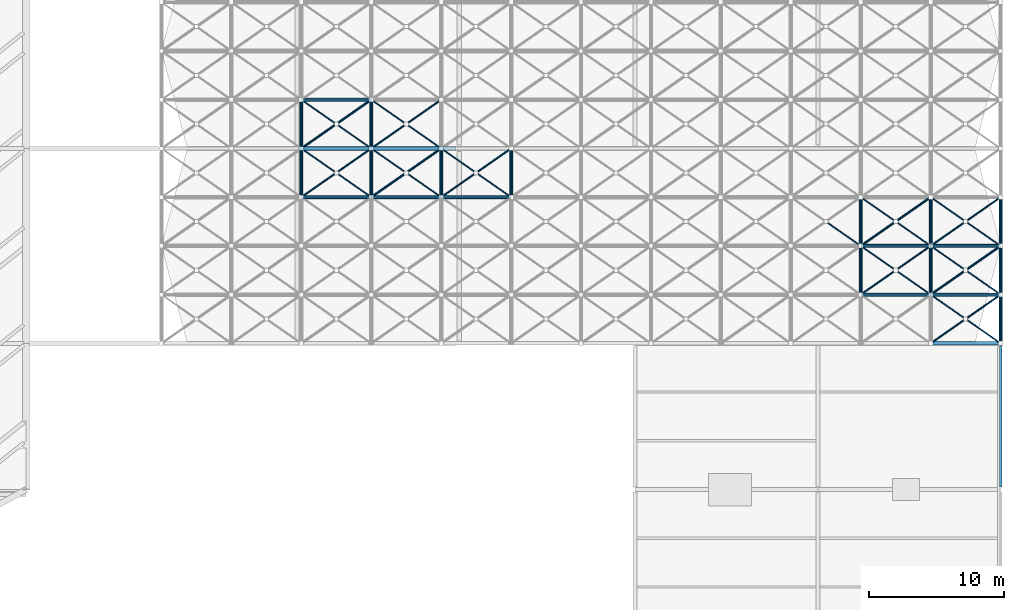
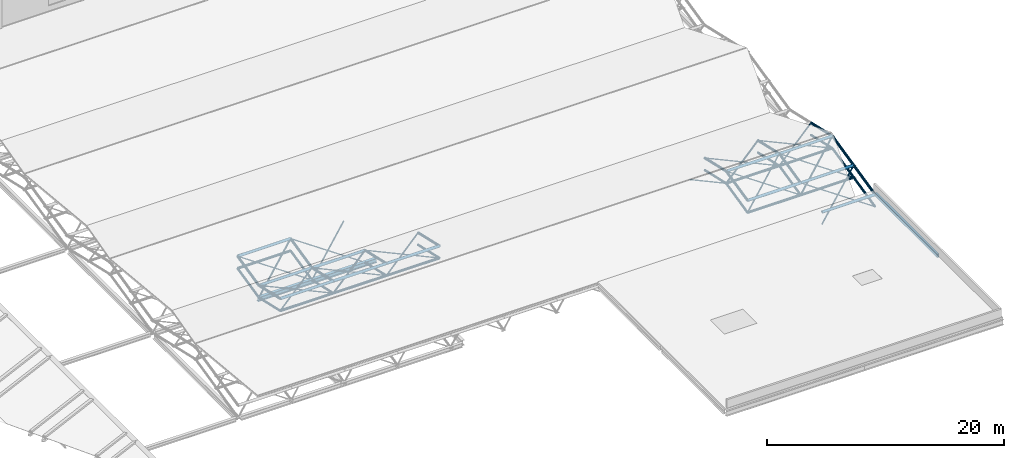
# One storey, part 37 of 110: 76 members, 2 beams.
"""IFC4 building model written with IfcOpenShell, lengths in metres."""

from ifc_helpers import new_model, si_unit, direction, frame, origin, origin_2d, place, context, subcontext, project, spatial, hollow_rectangle, hollow_circle, i_section, extrude, material, material_profile, profile_set, type_object, element, save


model = new_model("IFC4")

# Units and contexts
model_context = context("Model", 3, precision=1e-05, world=origin(), true_north=direction((0.0, 1.0)))
body_context = subcontext(model_context, "Body", "Model", "MODEL_VIEW")
ifc_project = project(units=[si_unit("LENGTHUNIT", "METRE"), si_unit("AREAUNIT", "SQUARE_METRE"), si_unit("VOLUMEUNIT", "CUBIC_METRE"), si_unit("PLANEANGLEUNIT", "RADIAN"), si_unit("MASSUNIT", "GRAM", prefix="KILO")], contexts=[model_context])

# Site, building, storey
site_placement = place(None, origin())
site = spatial("IfcSite", under=ifc_project, at=site_placement, CompositionType="ELEMENT")
building_placement = place(site_placement, origin())
building = spatial("IfcBuilding", under=site, at=building_placement, Name="Tamarisk Ironworks Central Station", CompositionType="ELEMENT")
storey_placement = place(building_placement, frame((0.0, 0.0, 17.39990234375)))
storey = spatial("IfcBuildingStorey", under=building, at=storey_placement, Name="L03", CompositionType="ELEMENT", Elevation=17.39990234375)

# Beams
ifc_material_1 = material(Name="Structural steel S355J2", Category="steel")
ifc_material_profile_1 = material_profile(ifc_material_1, i_section(OverallWidth=0.300048828125, OverallDepth=0.43994140625, WebThickness=0.011474609375, FlangeThickness=0.02099609375, at=origin_2d()), Name="HEA 450")
ifc_profile_set_1 = profile_set([ifc_material_profile_1], Name="Structural steel S355J2")
beam_type_1 = type_object("IfcBeamType", Name="BM-G06", PredefinedType="BEAM", material=ifc_profile_set_1)
beam_1_placement = place(storey_placement, frame((128.191162109375, 36.0, -1.81982421875), z_axis=(1.0, 0.0, 0.0), x_axis=(0.0, 1.0, 0.0)))
element("IfcBeam", 1, at=beam_1_placement, inside=storey, type_object=beam_type_1, Name="L03 primary girder X-0553", PredefinedType="BEAM", context=body_context, shape_type="SweptSolid", body=[
    extrude(i_section(OverallWidth=0.300048828125, OverallDepth=0.43994140625, WebThickness=0.011474609375, FlangeThickness=0.02099609375, at=origin_2d()), origin(), (0.0, 0.0, 1.0), 11.56689453125),
])
ifc_material_profile_2 = material_profile(ifc_material_1, hollow_rectangle(XDim=0.199951171875, YDim=0.35009765625, WallThickness=0.012451171875, at=origin_2d()), Name="RHS 350x200x12.5")
ifc_profile_set_2 = profile_set([ifc_material_profile_2], Name="Structural steel S355J2")
beam_type_2 = type_object("IfcBeamType", Name="BM-SP01", PredefinedType="SPANDREL", material=ifc_profile_set_2)
beam_2_placement = place(storey_placement, frame((180.0, 10.968017578125, -0.3349609375), z_axis=(0.0, 1.0, 0.0), x_axis=(-1.0, 0.0, 0.0)))
element("IfcBeam", 2, at=beam_2_placement, inside=storey, type_object=beam_type_2, Name="L03 primary girder Y-0701", PredefinedType="SPANDREL", context=body_context, shape_type="SweptSolid", body=[
    extrude(hollow_rectangle(XDim=0.199951171875, YDim=0.35009765625, WallThickness=0.012451171875, at=origin_2d()), origin(), (0.0, 0.0, 1.0), 10.4638671875),
])

# Members
ifc_material_2 = material(Name="Structural steel S355J2H", Category="steel")
ifc_material_profile_3 = material_profile(ifc_material_2, hollow_circle(Radius=0.136474609375, WallThickness=0.012451171875, at=origin_2d()), Name="CHS 273x12.5")
ifc_profile_set_3 = profile_set([ifc_material_profile_3], Name="Structural steel S355J2H")
member_type_1 = type_object("IfcMemberType", Name="MB-SFC01", PredefinedType="CHORD", material=ifc_profile_set_3)
member_1_placement = place(storey_placement, frame((174.833251953125, 21.60009765625, -0.469970703125), z_axis=(1.0, 0.0, 0.0), x_axis=(0.0, 1.0, 0.0)))
element("IfcMember", 3, at=member_1_placement, inside=storey, type_object=member_type_1, Name="Train shed space-frame top chord 1062", PredefinedType="CHORD", context=body_context, shape_type="SweptSolid", body=[
    extrude(hollow_circle(Radius=0.136474609375, WallThickness=0.012451171875, at=origin_2d()), origin(), (0.0, 0.0, 1.0), 5.166748046875),
])
member_2_placement = place(storey_placement, frame((169.666748046875, 25.199951171875, 0.35498046875), z_axis=(1.0, 0.0, 0.0), x_axis=(0.0, 1.0, 0.0)))
element("IfcMember", 4, at=member_2_placement, inside=storey, type_object=member_type_1, Name="Train shed space-frame top chord 1073", PredefinedType="CHORD", context=body_context, shape_type="SweptSolid", body=[
    extrude(hollow_circle(Radius=0.136474609375, WallThickness=0.012451171875, at=origin_2d()), origin(), (0.0, 0.0, 1.0), 5.16650390625),
])
member_3_placement = place(storey_placement, frame((174.833251953125, 25.199951171875, 0.35498046875), z_axis=(1.0, 0.0, 0.0), x_axis=(0.0, 1.0, 0.0)))
element("IfcMember", 5, at=member_3_placement, inside=storey, type_object=member_type_1, Name="Train shed space-frame top chord 1074", PredefinedType="CHORD", context=body_context, shape_type="SweptSolid", body=[
    extrude(hollow_circle(Radius=0.136474609375, WallThickness=0.012451171875, at=origin_2d()), origin(), (0.0, 0.0, 1.0), 5.166748046875),
])
member_4_placement = place(storey_placement, frame((169.666748046875, 28.800048828125, 1.18017578125), z_axis=(1.0, 0.0, 0.0), x_axis=(0.0, 1.0, 0.0)))
element("IfcMember", 6, at=member_4_placement, inside=storey, type_object=member_type_1, Name="Train shed space-frame top chord 1085", PredefinedType="CHORD", context=body_context, shape_type="SweptSolid", body=[
    extrude(hollow_circle(Radius=0.136474609375, WallThickness=0.012451171875, at=origin_2d()), origin(), (0.0, 0.0, 1.0), 5.16650390625),
])
for number, where, z_axis, x_axis, name in (
    (7, (174.833251953125, 28.800048828125, 1.18017578125), (1.0, 0.0, 0.0), (0.0, 1.0, 0.0), "Train shed space-frame top chord 1086"),
    (8, (128.333251953125, 32.39990234375, 0.35498046875), (1.0, 0.0, 0.0), (0.0, 1.0, 0.0), "Train shed space-frame top chord 1089"),
    (9, (133.5, 32.39990234375, 0.35498046875), (1.0, 0.0, 0.0), (0.0, 1.0, 0.0), "Train shed space-frame top chord 1090"),
):
    element("IfcMember", number, at=place(storey_placement, frame(where, z_axis=z_axis, x_axis=x_axis)), inside=storey, type_object=member_type_1, Name=name, PredefinedType="CHORD", context=body_context, shape_type="SweptSolid", body=[
        extrude(hollow_circle(Radius=0.136474609375, WallThickness=0.012451171875, at=origin_2d()), origin(), (0.0, 0.0, 1.0), 5.166748046875),
    ])
member_5_placement = place(storey_placement, frame((138.666748046875, 32.39990234375, 0.35498046875), z_axis=(1.0, 0.0, 0.0), x_axis=(0.0, 1.0, 0.0)))
element("IfcMember", 10, at=member_5_placement, inside=storey, type_object=member_type_1, Name="Train shed space-frame top chord 1091", PredefinedType="CHORD", context=body_context, shape_type="SweptSolid", body=[
    extrude(hollow_circle(Radius=0.136474609375, WallThickness=0.012451171875, at=origin_2d()), origin(), (0.0, 0.0, 1.0), 5.16650390625),
])
for number, where, z_axis, x_axis, name in (
    (11, (128.333251953125, 36.0, -0.469970703125), (1.0, 0.0, 0.0), (0.0, 1.0, 0.0), "Train shed space-frame top chord 1101"),
    (12, (133.5, 36.0, -0.469970703125), (1.0, 0.0, 0.0), (0.0, 1.0, 0.0), "Train shed space-frame top chord 1102"),
    (13, (128.333251953125, 39.60009765625, 0.35498046875), (1.0, 0.0, 0.0), (0.0, 1.0, 0.0), "Train shed space-frame top chord 1349"),
):
    element("IfcMember", number, at=place(storey_placement, frame(where, z_axis=z_axis, x_axis=x_axis)), inside=storey, type_object=member_type_1, Name=name, PredefinedType="CHORD", context=body_context, shape_type="SweptSolid", body=[
        extrude(hollow_circle(Radius=0.136474609375, WallThickness=0.012451171875, at=origin_2d()), origin(), (0.0, 0.0, 1.0), 5.166748046875),
    ])
ifc_material_profile_4 = material_profile(ifc_material_2, hollow_circle(Radius=0.122314453125, WallThickness=0.012451171875, at=origin_2d()), Name="CHS 244.5x12.5")
ifc_profile_set_4 = profile_set([ifc_material_profile_4], Name="Structural steel S355J2H")
member_type_2 = type_object("IfcMemberType", Name="MB-SFC02", PredefinedType="CHORD", material=ifc_profile_set_4)
member_6_placement = place(storey_placement, frame((169.666748046875, 25.199951171875, -0.89501953125), z_axis=(1.0, 0.0, 0.0), x_axis=(0.0, 1.0, 0.0)))
element("IfcMember", 14, at=member_6_placement, inside=storey, type_object=member_type_2, Name="Train shed space-frame bottom chord 0973", PredefinedType="CHORD", context=body_context, shape_type="SweptSolid", body=[
    extrude(hollow_circle(Radius=0.122314453125, WallThickness=0.012451171875, at=origin_2d()), origin(), (0.0, 0.0, 1.0), 5.16650390625),
])
member_7_placement = place(storey_placement, frame((174.833251953125, 25.199951171875, -0.89501953125), z_axis=(1.0, 0.0, 0.0), x_axis=(0.0, 1.0, 0.0)))
element("IfcMember", 15, at=member_7_placement, inside=storey, type_object=member_type_2, Name="Train shed space-frame bottom chord 0974", PredefinedType="CHORD", context=body_context, shape_type="SweptSolid", body=[
    extrude(hollow_circle(Radius=0.122314453125, WallThickness=0.012451171875, at=origin_2d()), origin(), (0.0, 0.0, 1.0), 5.166748046875),
])
member_8_placement = place(storey_placement, frame((169.666748046875, 28.800048828125, -0.06982421875), z_axis=(1.0, 0.0, 0.0), x_axis=(0.0, 1.0, 0.0)))
element("IfcMember", 16, at=member_8_placement, inside=storey, type_object=member_type_2, Name="Train shed space-frame bottom chord 0985", PredefinedType="CHORD", context=body_context, shape_type="SweptSolid", body=[
    extrude(hollow_circle(Radius=0.122314453125, WallThickness=0.012451171875, at=origin_2d()), origin(), (0.0, 0.0, 1.0), 5.16650390625),
])
for number, where, z_axis, x_axis, name in (
    (17, (174.833251953125, 28.800048828125, -0.06982421875), (1.0, 0.0, 0.0), (0.0, 1.0, 0.0), "Train shed space-frame bottom chord 0986"),
    (18, (128.333251953125, 32.39990234375, -0.89501953125), (1.0, 0.0, 0.0), (0.0, 1.0, 0.0), "Train shed space-frame bottom chord 0989"),
    (19, (133.5, 32.39990234375, -0.89501953125), (1.0, 0.0, 0.0), (0.0, 1.0, 0.0), "Train shed space-frame bottom chord 0990"),
):
    element("IfcMember", number, at=place(storey_placement, frame(where, z_axis=z_axis, x_axis=x_axis)), inside=storey, type_object=member_type_2, Name=name, PredefinedType="CHORD", context=body_context, shape_type="SweptSolid", body=[
        extrude(hollow_circle(Radius=0.122314453125, WallThickness=0.012451171875, at=origin_2d()), origin(), (0.0, 0.0, 1.0), 5.166748046875),
    ])
member_9_placement = place(storey_placement, frame((138.666748046875, 32.39990234375, -0.89501953125), z_axis=(1.0, 0.0, 0.0), x_axis=(0.0, 1.0, 0.0)))
element("IfcMember", 20, at=member_9_placement, inside=storey, type_object=member_type_2, Name="Train shed space-frame bottom chord 0991", PredefinedType="CHORD", context=body_context, shape_type="SweptSolid", body=[
    extrude(hollow_circle(Radius=0.122314453125, WallThickness=0.012451171875, at=origin_2d()), origin(), (0.0, 0.0, 1.0), 5.16650390625),
])
for number, where, z_axis, x_axis, name in (
    (21, (128.333251953125, 32.39990234375, 0.35498046875), (0.0, 0.974736516158, -0.223357838607), (-1.0, 0.0, 0.0), "Train shed space-frame top transverse chord 1122"),
    (22, (133.5, 32.39990234375, 0.35498046875), (0.0, 0.974736516158, -0.223357838607), (-1.0, 0.0, 0.0), "Train shed space-frame top transverse chord 1126"),
    (23, (138.666748046875, 32.39990234375, 0.35498046875), (0.0, 0.974736516158, -0.223357838607), (-1.0, 0.0, 0.0), "Train shed space-frame top transverse chord 1130"),
    (24, (143.833251953125, 32.39990234375, 0.35498046875), (0.0, 0.974736516158, -0.223357838607), (-1.0, 0.0, 0.0), "Train shed space-frame top transverse chord 1134"),
    (25, (169.666748046875, 25.199951171875, 0.35498046875), (0.0, 0.974722123001, 0.223420641241), (-1.0, 0.0, 0.0), "Train shed space-frame top transverse chord 1152"),
):
    element("IfcMember", number, at=place(storey_placement, frame(where, z_axis=z_axis, x_axis=x_axis)), inside=storey, type_object=member_type_2, Name=name, PredefinedType="CHORD", context=body_context, shape_type="SweptSolid", body=[
        extrude(hollow_circle(Radius=0.122314453125, WallThickness=0.012451171875, at=origin_2d()), origin(), (0.0, 0.0, 1.0), 3.693359375),
    ])
member_10_placement = place(storey_placement, frame((169.666748046875, 28.800048828125, 1.18017578125), z_axis=(0.0, 0.974718823144, -0.223435037113), x_axis=(-1.0, 0.0, 0.0)))
element("IfcMember", 26, at=member_10_placement, inside=storey, type_object=member_type_2, Name="Train shed space-frame top transverse chord 1153", PredefinedType="CHORD", context=body_context, shape_type="SweptSolid", body=[
    extrude(hollow_circle(Radius=0.122314453125, WallThickness=0.012451171875, at=origin_2d()), origin(), (0.0, 0.0, 1.0), 3.693115234375),
])
member_11_placement = place(storey_placement, frame((174.833251953125, 25.199951171875, 0.35498046875), z_axis=(0.0, 0.974722123001, 0.223420641241), x_axis=(-1.0, 0.0, 0.0)))
element("IfcMember", 27, at=member_11_placement, inside=storey, type_object=member_type_2, Name="Train shed space-frame top transverse chord 1156", PredefinedType="CHORD", context=body_context, shape_type="SweptSolid", body=[
    extrude(hollow_circle(Radius=0.122314453125, WallThickness=0.012451171875, at=origin_2d()), origin(), (0.0, 0.0, 1.0), 3.693359375),
])
for number, where, z_axis, x_axis, name in (
    (28, (174.833251953125, 28.800048828125, 1.18017578125), (0.0, 0.974718823144, -0.223435037113), (-1.0, 0.0, 0.0), "Train shed space-frame top transverse chord 1157"),
    (29, (180.0, 21.60009765625, -0.469970703125), (0.0, 0.974733218107, 0.223372230857), (-1.0, 0.0, 0.0), "Train shed space-frame top transverse chord 1159"),
):
    element("IfcMember", number, at=place(storey_placement, frame(where, z_axis=z_axis, x_axis=x_axis)), inside=storey, type_object=member_type_2, Name=name, PredefinedType="CHORD", context=body_context, shape_type="SweptSolid", body=[
        extrude(hollow_circle(Radius=0.122314453125, WallThickness=0.012451171875, at=origin_2d()), origin(), (0.0, 0.0, 1.0), 3.693115234375),
    ])
member_12_placement = place(storey_placement, frame((180.0, 25.199951171875, 0.35498046875), z_axis=(0.0, 0.974722123001, 0.223420641241), x_axis=(-1.0, 0.0, 0.0)))
element("IfcMember", 30, at=member_12_placement, inside=storey, type_object=member_type_2, Name="Train shed space-frame top transverse chord 1160", PredefinedType="CHORD", context=body_context, shape_type="SweptSolid", body=[
    extrude(hollow_circle(Radius=0.122314453125, WallThickness=0.012451171875, at=origin_2d()), origin(), (0.0, 0.0, 1.0), 3.693359375),
])
member_13_placement = place(storey_placement, frame((180.0, 28.800048828125, 1.18017578125), z_axis=(0.0, 0.974718823144, -0.223435037113), x_axis=(-1.0, 0.0, 0.0)))
element("IfcMember", 31, at=member_13_placement, inside=storey, type_object=member_type_2, Name="Train shed space-frame top transverse chord 1161", PredefinedType="CHORD", context=body_context, shape_type="SweptSolid", body=[
    extrude(hollow_circle(Radius=0.122314453125, WallThickness=0.012451171875, at=origin_2d()), origin(), (0.0, 0.0, 1.0), 3.693115234375),
])
member_14_placement = place(storey_placement, frame((128.333251953125, 39.60009765625, -0.89501953125), z_axis=(1.0, 0.0, 0.0), x_axis=(0.0, 1.0, 0.0)))
element("IfcMember", 32, at=member_14_placement, inside=storey, type_object=member_type_2, Name="Train shed space-frame bottom chord 1261", PredefinedType="CHORD", context=body_context, shape_type="SweptSolid", body=[
    extrude(hollow_circle(Radius=0.122314453125, WallThickness=0.012451171875, at=origin_2d()), origin(), (0.0, 0.0, 1.0), 5.166748046875),
])
for number, where, z_axis, x_axis, name in (
    (33, (128.333251953125, 36.0, -0.469970703125), (0.0, 0.974736516158, 0.223357838607), (-1.0, 0.0, 0.0), "Train shed space-frame top transverse chord 1403"),
    (34, (133.5, 36.0, -0.469970703125), (0.0, 0.974736516158, 0.223357838607), (-1.0, 0.0, 0.0), "Train shed space-frame top transverse chord 1407"),
):
    element("IfcMember", number, at=place(storey_placement, frame(where, z_axis=z_axis, x_axis=x_axis)), inside=storey, type_object=member_type_2, Name=name, PredefinedType="CHORD", context=body_context, shape_type="SweptSolid", body=[
        extrude(hollow_circle(Radius=0.122314453125, WallThickness=0.012451171875, at=origin_2d()), origin(), (0.0, 0.0, 1.0), 3.693359375),
    ])
ifc_material_profile_5 = material_profile(ifc_material_2, hollow_circle(Radius=0.109619140625, WallThickness=0.010009765625, at=origin_2d()), Name="CHS 219.1x10")
ifc_profile_set_5 = profile_set([ifc_material_profile_5], Name="Structural steel S355J2H")
member_type_3 = type_object("IfcMemberType", Name="MB-SFC03", PredefinedType="CHORD", material=ifc_profile_set_5)
for number, where, z_axis, x_axis, name in (
    (35, (128.333251953125, 32.39990234375, -0.89501953125), (0.0, 0.974736516158, -0.223357838607), (-1.0, 0.0, 0.0), "Train shed space-frame transverse chord 1010"),
    (36, (133.5, 32.39990234375, -0.89501953125), (0.0, 0.974736516158, -0.223357838607), (-1.0, 0.0, 0.0), "Train shed space-frame transverse chord 1014"),
    (37, (138.666748046875, 32.39990234375, -0.89501953125), (0.0, 0.974736516158, -0.223357838607), (-1.0, 0.0, 0.0), "Train shed space-frame transverse chord 1018"),
    (38, (143.833251953125, 32.39990234375, -0.89501953125), (0.0, 0.974736516158, -0.223357838607), (-1.0, 0.0, 0.0), "Train shed space-frame transverse chord 1022"),
    (39, (169.666748046875, 25.199951171875, -0.89501953125), (0.0, 0.974722123001, 0.223420641241), (-1.0, 0.0, 0.0), "Train shed space-frame transverse chord 1040"),
):
    element("IfcMember", number, at=place(storey_placement, frame(where, z_axis=z_axis, x_axis=x_axis)), inside=storey, type_object=member_type_3, Name=name, PredefinedType="CHORD", context=body_context, shape_type="SweptSolid", body=[
        extrude(hollow_circle(Radius=0.109619140625, WallThickness=0.010009765625, at=origin_2d()), origin(), (0.0, 0.0, 1.0), 3.693359375),
    ])
member_15_placement = place(storey_placement, frame((169.666748046875, 28.800048828125, -0.06982421875), z_axis=(0.0, 0.974718823144, -0.223435037113), x_axis=(-1.0, 0.0, 0.0)))
element("IfcMember", 40, at=member_15_placement, inside=storey, type_object=member_type_3, Name="Train shed space-frame transverse chord 1041", PredefinedType="CHORD", context=body_context, shape_type="SweptSolid", body=[
    extrude(hollow_circle(Radius=0.109619140625, WallThickness=0.010009765625, at=origin_2d()), origin(), (0.0, 0.0, 1.0), 3.693115234375),
])
member_16_placement = place(storey_placement, frame((174.833251953125, 25.199951171875, -0.89501953125), z_axis=(0.0, 0.974722123001, 0.223420641241), x_axis=(-1.0, 0.0, 0.0)))
element("IfcMember", 41, at=member_16_placement, inside=storey, type_object=member_type_3, Name="Train shed space-frame transverse chord 1044", PredefinedType="CHORD", context=body_context, shape_type="SweptSolid", body=[
    extrude(hollow_circle(Radius=0.109619140625, WallThickness=0.010009765625, at=origin_2d()), origin(), (0.0, 0.0, 1.0), 3.693359375),
])
for number, where, z_axis, x_axis, name in (
    (42, (174.833251953125, 28.800048828125, -0.06982421875), (0.0, 0.974718823144, -0.223435037113), (-1.0, 0.0, 0.0), "Train shed space-frame transverse chord 1045"),
    (43, (180.0, 21.60009765625, -1.719970703125), (0.0, 0.974733218107, 0.223372230857), (-1.0, 0.0, 0.0), "Train shed space-frame transverse chord 1047"),
):
    element("IfcMember", number, at=place(storey_placement, frame(where, z_axis=z_axis, x_axis=x_axis)), inside=storey, type_object=member_type_3, Name=name, PredefinedType="CHORD", context=body_context, shape_type="SweptSolid", body=[
        extrude(hollow_circle(Radius=0.109619140625, WallThickness=0.010009765625, at=origin_2d()), origin(), (0.0, 0.0, 1.0), 3.693115234375),
    ])
member_17_placement = place(storey_placement, frame((180.0, 25.199951171875, -0.89501953125), z_axis=(0.0, 0.974722123001, 0.223420641241), x_axis=(-1.0, 0.0, 0.0)))
element("IfcMember", 44, at=member_17_placement, inside=storey, type_object=member_type_3, Name="Train shed space-frame transverse chord 1048", PredefinedType="CHORD", context=body_context, shape_type="SweptSolid", body=[
    extrude(hollow_circle(Radius=0.109619140625, WallThickness=0.010009765625, at=origin_2d()), origin(), (0.0, 0.0, 1.0), 3.693359375),
])
member_18_placement = place(storey_placement, frame((180.0, 28.800048828125, -0.06982421875), z_axis=(0.0, 0.974718823144, -0.223435037113), x_axis=(-1.0, 0.0, 0.0)))
element("IfcMember", 45, at=member_18_placement, inside=storey, type_object=member_type_3, Name="Train shed space-frame transverse chord 1049", PredefinedType="CHORD", context=body_context, shape_type="SweptSolid", body=[
    extrude(hollow_circle(Radius=0.109619140625, WallThickness=0.010009765625, at=origin_2d()), origin(), (0.0, 0.0, 1.0), 3.693115234375),
])
for number, where, z_axis, x_axis, name in (
    (46, (128.333251953125, 36.0, -1.719970703125), (0.0, 0.974736516158, 0.223357838607), (-1.0, 0.0, 0.0), "Train shed space-frame transverse chord 1303"),
    (47, (133.5, 36.0, -1.719970703125), (0.0, 0.974736516158, 0.223357838607), (-1.0, 0.0, 0.0), "Train shed space-frame transverse chord 1307"),
):
    element("IfcMember", number, at=place(storey_placement, frame(where, z_axis=z_axis, x_axis=x_axis)), inside=storey, type_object=member_type_3, Name=name, PredefinedType="CHORD", context=body_context, shape_type="SweptSolid", body=[
        extrude(hollow_circle(Radius=0.109619140625, WallThickness=0.010009765625, at=origin_2d()), origin(), (0.0, 0.0, 1.0), 3.693359375),
    ])
ifc_material_profile_6 = material_profile(ifc_material_2, hollow_circle(Radius=0.084228515625, WallThickness=0.010009765625, at=origin_2d()), Name="CHS 168.3x10")
ifc_profile_set_6 = profile_set([ifc_material_profile_6], Name="Structural steel S355J2H")
member_type_4 = type_object("IfcMemberType", Name="MB-SFD01", PredefinedType="BRACE", material=ifc_profile_set_6)
member_19_placement = place(storey_placement, frame((133.5, 32.39990234375, -0.89501953125), z_axis=(0.818607749421, 0.570391242875, 0.067343764671), x_axis=(-0.571689073201, 0.82047035509, 0.0)))
element("IfcMember", 48, at=member_19_placement, inside=storey, type_object=member_type_4, Name="Train shed space-frame diagonal 1193", PredefinedType="BRACE", context=body_context, shape_type="SweptSolid", body=[
    extrude(hollow_circle(Radius=0.084228515625, WallThickness=0.010009765625, at=origin_2d()), origin(), (0.0, 0.0, 1.0), 6.3115234375),
])
member_20_placement = place(storey_placement, frame((169.666748046875, 28.800048828125, -0.06982421875), z_axis=(0.818615182779, 0.570384692849, 0.06730887525), x_axis=(-0.571681159291, 0.820475869305, 0.0)))
element("IfcMember", 49, at=member_20_placement, inside=storey, type_object=member_type_4, Name="Train shed space-frame diagonal 1247", PredefinedType="BRACE", context=body_context, shape_type="SweptSolid", body=[
    extrude(hollow_circle(Radius=0.084228515625, WallThickness=0.010009765625, at=origin_2d()), origin(), (0.0, 0.0, 1.0), 6.311279296875),
])
for number, where, z_axis, x_axis, name in (
    (50, (174.833251953125, 25.199951171875, -0.89501953125), (0.779249385031, 0.542967038306, 0.312981135603), (-0.571689073201, 0.82047035509, 0.0), "Train shed space-frame diagonal 1253"),
    (51, (128.333251953125, 36.0, -1.719970703125), (0.77925836502, 0.542973295402, 0.312947920631), (-0.571689073201, 0.82047035509, 0.0), "Train shed space-frame diagonal 1463"),
):
    element("IfcMember", number, at=place(storey_placement, frame(where, z_axis=z_axis, x_axis=x_axis)), inside=storey, type_object=member_type_4, Name=name, PredefinedType="BRACE", context=body_context, shape_type="SweptSolid", body=[
        extrude(hollow_circle(Radius=0.084228515625, WallThickness=0.010009765625, at=origin_2d()), origin(), (0.0, 0.0, 1.0), 6.63037109375),
    ])
ifc_material_profile_7 = material_profile(ifc_material_2, hollow_circle(Radius=0.06982421875, WallThickness=0.008056640625, at=origin_2d()), Name="CHS 139.7x8")
ifc_profile_set_7 = profile_set([ifc_material_profile_7], Name="Structural steel S355J2H")
member_type_5 = type_object("IfcMemberType", Name="MB-SFD02", PredefinedType="BRACE", material=ifc_profile_set_7)
for number, where, z_axis, x_axis, name in (
    (52, (128.333251953125, 32.39990234375, -0.89501953125), (0.818607749421, 0.570391242875, 0.067343764671), (-0.571689073201, 0.82047035509, 0.0), "Train shed space-frame diagonal 1185"),
    (53, (138.666748046875, 32.39990234375, -0.89501953125), (0.818594988647, 0.570409304536, 0.067345897138), (-0.571707258436, 0.820457683645, 0.0), "Train shed space-frame diagonal 1201"),
):
    element("IfcMember", number, at=place(storey_placement, frame(where, z_axis=z_axis, x_axis=x_axis)), inside=storey, type_object=member_type_5, Name=name, PredefinedType="BRACE", context=body_context, shape_type="SweptSolid", body=[
        extrude(hollow_circle(Radius=0.06982421875, WallThickness=0.008056640625, at=origin_2d()), origin(), (0.0, 0.0, 1.0), 6.3115234375),
    ])
for number, where, z_axis, x_axis, name in (
    (54, (169.666748046875, 25.199951171875, -0.89501953125), (0.779234922088, 0.542982617952, 0.31299011614), (-0.571707258436, 0.820457683645, 0.0), "Train shed space-frame diagonal 1245"),
    (55, (174.833251953125, 21.60009765625, -1.719970703125), (0.779273944842, 0.542947328672, 0.312954177442), (-0.57166297408, 0.820488539875, 0.0), "Train shed space-frame diagonal 1251"),
):
    element("IfcMember", number, at=place(storey_placement, frame(where, z_axis=z_axis, x_axis=x_axis)), inside=storey, type_object=member_type_5, Name=name, PredefinedType="BRACE", context=body_context, shape_type="SweptSolid", body=[
        extrude(hollow_circle(Radius=0.06982421875, WallThickness=0.008056640625, at=origin_2d()), origin(), (0.0, 0.0, 1.0), 6.630126953125),
    ])
member_21_placement = place(storey_placement, frame((174.833251953125, 28.800048828125, -0.06982421875), z_axis=(0.818627942589, 0.570366631076, 0.06730674385), x_axis=(-0.57166297408, 0.820488539875, 0.0)))
element("IfcMember", 56, at=member_21_placement, inside=storey, type_object=member_type_5, Name="Train shed space-frame diagonal 1255", PredefinedType="BRACE", context=body_context, shape_type="SweptSolid", body=[
    extrude(hollow_circle(Radius=0.06982421875, WallThickness=0.008056640625, at=origin_2d()), origin(), (0.0, 0.0, 1.0), 6.3115234375),
])
member_22_placement = place(storey_placement, frame((133.5, 36.0, -1.719970703125), z_axis=(0.77925836502, 0.542973295402, 0.312947920631), x_axis=(-0.571689073201, 0.82047035509, 0.0)))
element("IfcMember", 57, at=member_22_placement, inside=storey, type_object=member_type_5, Name="Train shed space-frame diagonal 1471", PredefinedType="BRACE", context=body_context, shape_type="SweptSolid", body=[
    extrude(hollow_circle(Radius=0.06982421875, WallThickness=0.008056640625, at=origin_2d()), origin(), (0.0, 0.0, 1.0), 6.63037109375),
])
ifc_material_profile_8 = material_profile(ifc_material_2, hollow_circle(Radius=0.05712890625, WallThickness=0.00634765625, at=origin_2d()), Name="CHS 114.3x6.3")
ifc_profile_set_8 = profile_set([ifc_material_profile_8], Name="Structural steel S355J2H")
member_type_6 = type_object("IfcMemberType", Name="MB-SFD03", PredefinedType="BRACE", material=ifc_profile_set_8)
for number, where, z_axis, x_axis, name in (
    (58, (133.5, 32.39990234375, -0.89501953125), (-0.818584353535, 0.570418740152, 0.06739523003), (-0.571718624339, -0.820449763596, 0.0), "Train shed space-frame split counter-diagonal lower 1186"),
    (59, (130.87158203125, 34.2314453125, -0.6787109375), (-0.81862545828, 0.570368646704, 0.067319877544), (-0.571665501983, -0.820486778591, 0.0), "Train shed space-frame split counter-diagonal upper 1186"),
    (60, (138.666748046875, 32.39990234375, -0.89501953125), (-0.818584353535, 0.570418740152, 0.06739523003), (-0.571718624339, -0.820449763596, 0.0), "Train shed space-frame split counter-diagonal lower 1194"),
    (61, (136.038330078125, 34.2314453125, -0.6787109375), (-0.81862545828, 0.570368646704, 0.067319877544), (-0.571665501983, -0.820486778591, 0.0), "Train shed space-frame split counter-diagonal upper 1194"),
    (62, (143.833251953125, 32.39990234375, -0.89501953125), (-0.818584353535, 0.570418740152, 0.06739523003), (-0.571718624339, -0.820449763596, 0.0), "Train shed space-frame split counter-diagonal lower 1202"),
    (63, (141.205078125, 34.2314453125, -0.6787109375), (-0.81862545828, 0.570368646704, 0.067319877544), (-0.571665501983, -0.820486778591, 0.0), "Train shed space-frame split counter-diagonal upper 1202"),
    (64, (169.666748046875, 28.800048828125, -0.06982421875), (-0.81862545828, 0.570368646704, 0.067319877544), (-0.571665501983, -0.820486778591, 0.0), "Train shed space-frame split counter-diagonal lower 1240"),
):
    element("IfcMember", number, at=place(storey_placement, frame(where, z_axis=z_axis, x_axis=x_axis)), inside=storey, type_object=member_type_6, Name=name, PredefinedType="BRACE", context=body_context, shape_type="SweptSolid", body=[
        extrude(hollow_circle(Radius=0.05712890625, WallThickness=0.00634765625, at=origin_2d()), origin(), (0.0, 0.0, 1.0), 3.100830078125),
    ])
for number, where, z_axis, x_axis, name in (
    (65, (174.833251953125, 25.199951171875, -0.89501953125), (-0.779202006797, 0.5430075686, 0.313028773514), (-0.571741198525, -0.820434032637, 0.0), "Train shed space-frame split counter-diagonal lower 1246"),
    (66, (172.20703125, 27.02978515625, 0.159912109375), (-0.779220271205, 0.543020296637, 0.312961221852), (-0.571741198525, -0.820434032637, 0.0), "Train shed space-frame split counter-diagonal upper 1246"),
):
    element("IfcMember", number, at=place(storey_placement, frame(where, z_axis=z_axis, x_axis=x_axis)), inside=storey, type_object=member_type_6, Name=name, PredefinedType="BRACE", context=body_context, shape_type="SweptSolid", body=[
        extrude(hollow_circle(Radius=0.05712890625, WallThickness=0.00634765625, at=origin_2d()), origin(), (0.0, 0.0, 1.0), 3.260009765625),
    ])
for number, where, z_axis, x_axis, name in (
    (67, (174.833251953125, 28.800048828125, -0.06982421875), (-0.81862545828, 0.570368646704, 0.067319877544), (-0.571665501983, -0.820486778591, 0.0), "Train shed space-frame split counter-diagonal lower 1248"),
    (68, (172.205078125, 30.63134765625, 0.146240234375), (-0.81862545828, 0.570368646704, 0.067319877544), (-0.571665501983, -0.820486778591, 0.0), "Train shed space-frame split counter-diagonal upper 1248"),
):
    element("IfcMember", number, at=place(storey_placement, frame(where, z_axis=z_axis, x_axis=x_axis)), inside=storey, type_object=member_type_6, Name=name, PredefinedType="BRACE", context=body_context, shape_type="SweptSolid", body=[
        extrude(hollow_circle(Radius=0.05712890625, WallThickness=0.00634765625, at=origin_2d()), origin(), (0.0, 0.0, 1.0), 3.100830078125),
    ])
for number, where, z_axis, x_axis, name in (
    (69, (180.0, 21.60009765625, -1.719970703125), (-0.779251958926, 0.542967486998, 0.312973948712), (-0.571688120068, -0.820471019216, 0.0), "Train shed space-frame split counter-diagonal lower 1252"),
    (70, (177.373779296875, 23.429931640625, -0.665283203125), (-0.779281371438, 0.542935800781, 0.31295568434), (-0.571651135352, -0.820496788203, 0.0), "Train shed space-frame split counter-diagonal upper 1252"),
    (71, (180.0, 25.199951171875, -0.89501953125), (-0.779202006797, 0.5430075686, 0.313028773514), (-0.571741198525, -0.820434032637, 0.0), "Train shed space-frame split counter-diagonal lower 1254"),
):
    element("IfcMember", number, at=place(storey_placement, frame(where, z_axis=z_axis, x_axis=x_axis)), inside=storey, type_object=member_type_6, Name=name, PredefinedType="BRACE", context=body_context, shape_type="SweptSolid", body=[
        extrude(hollow_circle(Radius=0.05712890625, WallThickness=0.00634765625, at=origin_2d()), origin(), (0.0, 0.0, 1.0), 3.260009765625),
    ])
member_23_placement = place(storey_placement, frame((177.373779296875, 27.02978515625, 0.159912109375), z_axis=(-0.779249686219, 0.542988609915, 0.312942959707), x_axis=(-0.571704213709, -0.820459805248, 0.0)))
element("IfcMember", 72, at=member_23_placement, inside=storey, type_object=member_type_6, Name="Train shed space-frame split counter-diagonal upper 1254", PredefinedType="BRACE", context=body_context, shape_type="SweptSolid", body=[
    extrude(hollow_circle(Radius=0.05712890625, WallThickness=0.00634765625, at=origin_2d()), origin(), (0.0, 0.0, 1.0), 3.26025390625),
])
for number, where, z_axis, x_axis, name in (
    (73, (180.0, 28.800048828125, -0.06982421875), (-0.81862545828, 0.570368646704, 0.067319877544), (-0.571665501983, -0.820486778591, 0.0), "Train shed space-frame split counter-diagonal lower 1256"),
    (74, (177.37158203125, 30.63134765625, 0.146240234375), (-0.81862545828, 0.570368646704, 0.067319877544), (-0.571665501983, -0.820486778591, 0.0), "Train shed space-frame split counter-diagonal upper 1256"),
):
    element("IfcMember", number, at=place(storey_placement, frame(where, z_axis=z_axis, x_axis=x_axis)), inside=storey, type_object=member_type_6, Name=name, PredefinedType="BRACE", context=body_context, shape_type="SweptSolid", body=[
        extrude(hollow_circle(Radius=0.05712890625, WallThickness=0.00634765625, at=origin_2d()), origin(), (0.0, 0.0, 1.0), 3.100830078125),
    ])
member_24_placement = place(storey_placement, frame((133.5, 36.0, -1.719970703125), z_axis=(-0.779251958926, 0.542967486998, 0.312973948712), x_axis=(-0.571688120068, -0.820471019216, 0.0)))
element("IfcMember", 75, at=member_24_placement, inside=storey, type_object=member_type_6, Name="Train shed space-frame split counter-diagonal lower 1464", PredefinedType="BRACE", context=body_context, shape_type="SweptSolid", body=[
    extrude(hollow_circle(Radius=0.05712890625, WallThickness=0.00634765625, at=origin_2d()), origin(), (0.0, 0.0, 1.0), 3.260009765625),
])
member_25_placement = place(storey_placement, frame((130.873779296875, 37.829833984375, -0.665283203125), z_axis=(-0.779249686219, 0.542988609915, 0.312942959707), x_axis=(-0.571704213709, -0.820459805248, 0.0)))
element("IfcMember", 76, at=member_25_placement, inside=storey, type_object=member_type_6, Name="Train shed space-frame split counter-diagonal upper 1464", PredefinedType="BRACE", context=body_context, shape_type="SweptSolid", body=[
    extrude(hollow_circle(Radius=0.05712890625, WallThickness=0.00634765625, at=origin_2d()), origin(), (0.0, 0.0, 1.0), 3.26025390625),
])
for number, where, z_axis, x_axis, name in (
    (77, (138.666748046875, 36.0, -1.719970703125), (-0.779281371438, 0.542935800781, 0.31295568434), (-0.571651135352, -0.820496788203, 0.0), "Train shed space-frame split counter-diagonal lower 1472"),
    (78, (136.040283203125, 37.829833984375, -0.665283203125), (-0.779220271205, 0.543020296637, 0.312961221852), (-0.571741198525, -0.820434032637, 0.0), "Train shed space-frame split counter-diagonal upper 1472"),
):
    element("IfcMember", number, at=place(storey_placement, frame(where, z_axis=z_axis, x_axis=x_axis)), inside=storey, type_object=member_type_6, Name=name, PredefinedType="BRACE", context=body_context, shape_type="SweptSolid", body=[
        extrude(hollow_circle(Radius=0.05712890625, WallThickness=0.00634765625, at=origin_2d()), origin(), (0.0, 0.0, 1.0), 3.260009765625),
    ])

save(model, "model.ifc")
